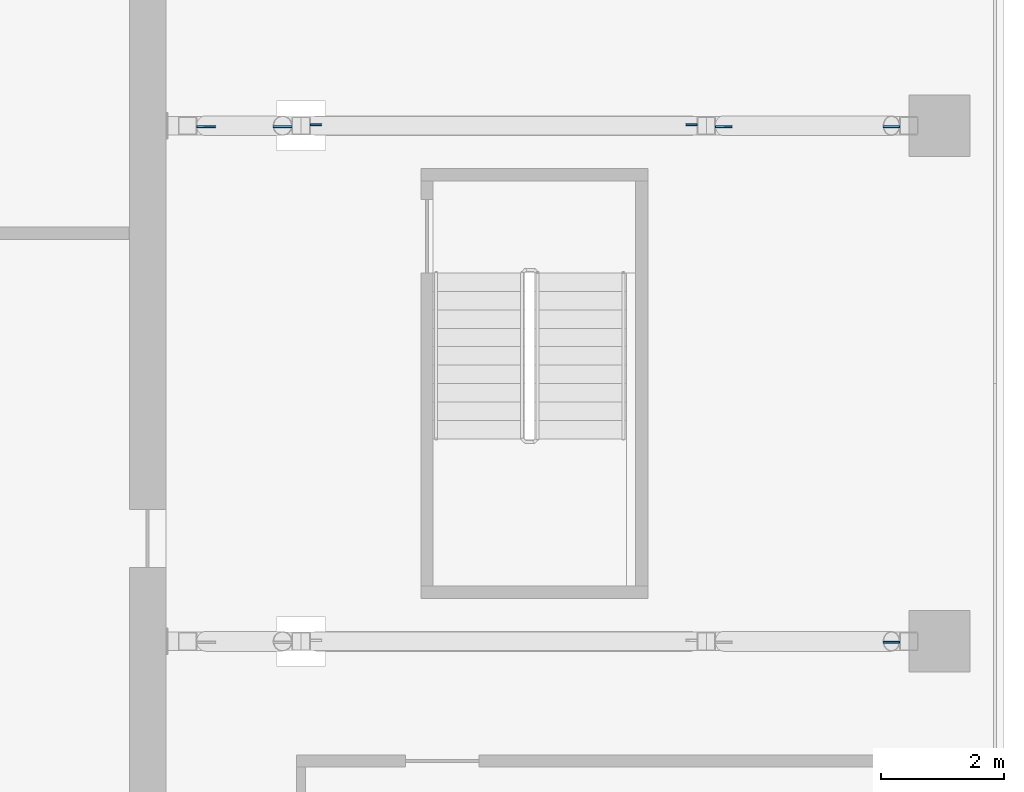
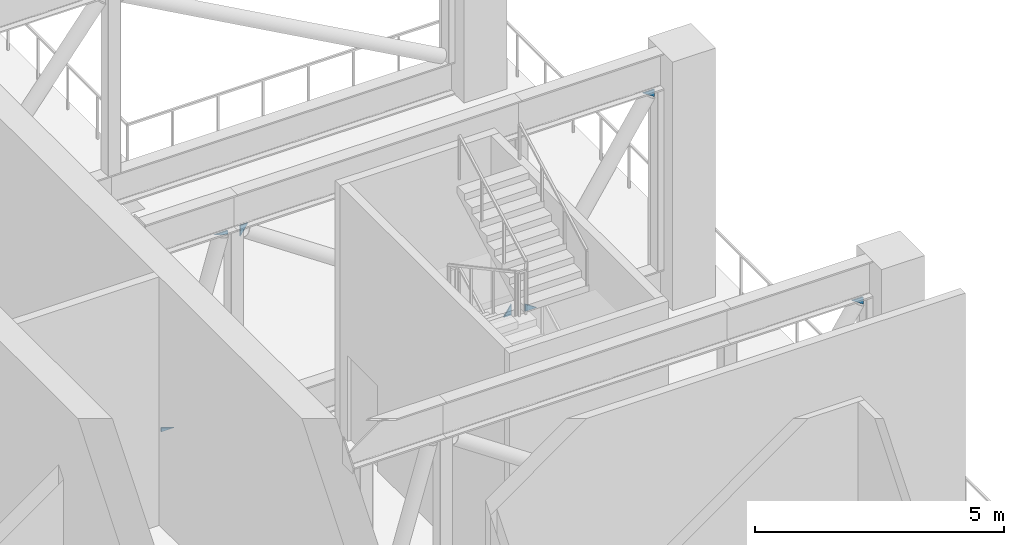
# One storey, part 14 of 24: 7 plates.
"""IFC4 building model written with IfcOpenShell, lengths in metres."""

import ifcopenshell
import ifcopenshell.guid

model = None  # the IFC model being written
_history = None  # IfcOwnerHistory: only IFC2X3 demands one
_inside = {}  # id of a spatial element -> (the spatial element, [elements in it])
_under = {}  # id of a project, library or spatial element -> (it, [spatial elements below it])
_declared = {}  # id of a project -> (the project, [libraries it declares])
_typed = {}  # id of a type object -> (the type object, [elements of that type])
_made_of = {}  # id of a material, layer set ... -> (it, [elements and type objects made of it])


def new_model(schema):
    """Start an empty IFC model of exactly this schema.

    Asked for "IFC4X3", IfcOpenShell would pick the latest addendum, in which some entities
    have other attributes; the version numbers below select the first issue.
    IFC2X3 requires an IfcOwnerHistory on every rooted entity: one is made here for all.
    """
    global model, _history
    if schema == "IFC4X3":
        model = ifcopenshell.file(schema_version=(4, 3, 0, 0))
    else:
        model = ifcopenshell.file(schema=schema)
    _inside.clear()
    _under.clear()
    _declared.clear()
    _typed.clear()
    _made_of.clear()
    _history = None
    if model.schema == "IFC2X3":
        org = make("IfcOrganization", Name="unknown")
        user = make(
            "IfcPersonAndOrganization",
            ThePerson=make("IfcPerson", FamilyName="unknown"),
            TheOrganization=org,
        )
        app = make(
            "IfcApplication",
            ApplicationDeveloper=org,
            Version="unknown",
            ApplicationFullName="unknown",
            ApplicationIdentifier="unknown",
        )
        _history = make(
            "IfcOwnerHistory",
            OwningUser=user,
            OwningApplication=app,
            ChangeAction="ADDED",
            CreationDate=0,
        )
    return model


def make(cls, **values):
    """One entity of the class cls with the attributes given. An attribute that is None is left unset."""
    return model.create_entity(
        cls, **{name: value for name, value in values.items() if value is not None}
    )


def rooted(cls, **values):
    """An entity with a GlobalId (a new one), such as an element, a storey or a relation."""
    return make(cls, GlobalId=ifcopenshell.guid.new(), OwnerHistory=_history, **values)


def si_unit(unit_type, name, prefix=None):
    """IfcSIUnit, for example si_unit("LENGTHUNIT", "METRE", prefix="MILLI")."""
    return make("IfcSIUnit", UnitType=unit_type, Prefix=prefix, Name=name)


def assignment(units):
    """IfcUnitAssignment: the units of a project."""
    return None if units is None else make("IfcUnitAssignment", Units=units)


def point(xyz):
    """IfcCartesianPoint."""
    return None if xyz is None else make("IfcCartesianPoint", Coordinates=xyz)


def direction(xyz):
    """IfcDirection."""
    return None if xyz is None else make("IfcDirection", DirectionRatios=xyz)


def frame(location, z_axis=None, x_axis=None):
    """IfcAxis2Placement3D, a coordinate frame: its origin and axes. An axis left out is left unset."""
    return make(
        "IfcAxis2Placement3D",
        Location=point(location),
        Axis=direction(z_axis),
        RefDirection=direction(x_axis),
    )


def origin():
    """The frame at (0, 0, 0) with its axes left unset."""
    return frame((0.0, 0.0, 0.0))


def place(relative_to, where):
    """IfcLocalPlacement: puts the frame where relative to a parent placement (None: the world)."""
    return make(
        "IfcLocalPlacement", PlacementRelTo=relative_to, RelativePlacement=where
    )


def context(
    kind, dimensions, precision=None, world=None, true_north=None, identifier=None
):
    """IfcGeometricRepresentationContext, for example the 3D "Model" context."""
    return make(
        "IfcGeometricRepresentationContext",
        ContextIdentifier=identifier,
        ContextType=kind,
        CoordinateSpaceDimension=dimensions,
        Precision=precision,
        WorldCoordinateSystem=world,
        TrueNorth=true_north,
    )


def subcontext(parent, identifier, kind, view, scale=None):
    """IfcGeometricRepresentationSubContext, for example "Body" below "Model"."""
    return make(
        "IfcGeometricRepresentationSubContext",
        ContextIdentifier=identifier,
        ContextType=kind,
        ParentContext=parent,
        TargetScale=scale,
        TargetView=view,
    )


def project(units=None, contexts=None):
    """IfcProject with its units and contexts."""
    return rooted(
        "IfcProject",
        Name="project",
        RepresentationContexts=contexts,
        UnitsInContext=assignment(units),
    )


def spatial(cls, under=None, at=None, **own):
    """A site, building, storey or space (cls), placed at a placement, below another one or the project."""
    s = rooted(cls, ObjectPlacement=at, **own)
    if under is not None:
        _under.setdefault(under.id(), (under, []))[1].append(s)
    return s


def polyline(points):
    """IfcPolyline through the points."""
    return make("IfcPolyline", Points=[point(p) for p in points])


def outline(outer, holes=None, kind="AREA"):
    """IfcArbitraryClosedProfileDef: a profile drawn as a closed curve; with holes, ...WithVoids."""
    if holes is None:
        return make("IfcArbitraryClosedProfileDef", ProfileType=kind, OuterCurve=outer)
    return make(
        "IfcArbitraryProfileDefWithVoids",
        ProfileType=kind,
        OuterCurve=outer,
        InnerCurves=holes,
    )


def extrude(swept, where, along, depth):
    """IfcExtrudedAreaSolid: the profile swept, set in the frame where, extruded along a direction by depth."""
    return make(
        "IfcExtrudedAreaSolid",
        SweptArea=swept,
        Position=where,
        ExtrudedDirection=direction(along),
        Depth=depth,
    )


def shape(context_of_items, identifier, shape_type, items):
    """IfcShapeRepresentation: the items that make up one representation, for example the "Body"."""
    return make(
        "IfcShapeRepresentation",
        ContextOfItems=context_of_items,
        RepresentationIdentifier=identifier,
        RepresentationType=shape_type,
        Items=items,
    )


def material(Name=None, Category=None):
    """IfcMaterial."""
    return make("IfcMaterial", Name=Name, Category=Category)


def layer(
    of_material, thickness, ventilated=None, Name=None, Category=None, Priority=None
):
    """IfcMaterialLayer: one layer of a wall or slab, of a material (None: an air gap)."""
    return make(
        "IfcMaterialLayer",
        Material=of_material,
        LayerThickness=thickness,
        IsVentilated=ventilated,
        Name=Name,
        Category=Category,
        Priority=Priority,
    )


def layer_set(layers, Name=None):
    """IfcMaterialLayerSet."""
    return make("IfcMaterialLayerSet", MaterialLayers=layers, LayerSetName=Name)


def made_of(thing, what):
    """Note that an element or type object is made of a material, layer set ...; save() writes the relation."""
    if what is not None:
        _made_of.setdefault(what.id(), (what, []))[1].append(thing)
    return thing


def type_object(cls, material=None, **own):
    """A type object (cls), such as IfcWallType, which elements share."""
    return made_of(rooted(cls, **own), material)


def element(
    cls,
    number,
    at=None,
    inside=None,
    cuts=None,
    type_object=None,
    material=None,
    context=None,
    identifier="Body",
    shape_type=None,
    held_by="IfcProductDefinitionShape",
    body=None,
    shapes=None,
    **own,
):
    """One element of the class cls, such as IfcWall. Its Tag is "e" and its number.

    at: its placement. inside: the storey or other place that contains it. cuts: it is an
    opening in that element (IfcRelVoidsElement). A single representation is given by context,
    identifier, shape_type and body (its items); several are given by shapes. held_by: the class
    of the entity that holds the representations. save() writes the other relations.
    """
    e = rooted(cls, Tag="e%d" % number, ObjectPlacement=at, **own)
    if body is not None:
        shapes = [shape(context, identifier, shape_type, body)]
    if shapes is not None:
        e.Representation = make(held_by, Representations=shapes)
    if inside is not None:
        _inside.setdefault(inside.id(), (inside, []))[1].append(e)
    if cuts is not None:
        rooted(
            "IfcRelVoidsElement", RelatingBuildingElement=cuts, RelatedOpeningElement=e
        )
    if type_object is not None:
        _typed.setdefault(type_object.id(), (type_object, []))[1].append(e)
    return made_of(e, material)


def aggregate(whole, parts):
    """IfcRelAggregates: a whole, such as a stair, and the parts it consists of."""
    return rooted("IfcRelAggregates", RelatingObject=whole, RelatedObjects=parts)


def save(model, path):
    """Write the relations noted so far, then the file.

    IfcRelAggregates (storeys below a building ...), IfcRelContainedInSpatialStructure (elements
    in a storey), IfcRelDefinesByType, IfcRelAssociatesMaterial and IfcRelDeclares: one each for
    every whole, place, type object, material and project.
    """
    for whole, parts in _under.values():
        aggregate(whole, parts)
    for where, things in _inside.values():
        rooted(
            "IfcRelContainedInSpatialStructure",
            RelatedElements=things,
            RelatingStructure=where,
        )
    for kind, things in _typed.values():
        rooted("IfcRelDefinesByType", RelatedObjects=things, RelatingType=kind)
    for what, things in _made_of.values():
        rooted("IfcRelAssociatesMaterial", RelatedObjects=things, RelatingMaterial=what)
    for by, libraries in _declared.values():
        rooted("IfcRelDeclares", RelatingContext=by, RelatedDefinitions=libraries)
    model.write(path)


model = new_model("IFC4")

# Units and contexts
model_context = context("Model", 3, precision=1e-05, world=origin(), true_north=direction((0.0, 1.0)))
body_context = subcontext(model_context, "Body", "Model", "MODEL_VIEW")
ifc_project = project(units=[si_unit("LENGTHUNIT", "METRE"), si_unit("AREAUNIT", "SQUARE_METRE"), si_unit("VOLUMEUNIT", "CUBIC_METRE"), si_unit("PLANEANGLEUNIT", "RADIAN"), si_unit("MASSUNIT", "GRAM", prefix="KILO")], contexts=[model_context])

# Site, building, storey
site_placement = place(None, origin())
site = spatial("IfcSite", under=ifc_project, at=site_placement, CompositionType="ELEMENT")
building_placement = place(site_placement, origin())
building = spatial("IfcBuilding", under=site, at=building_placement, Name="Vermilion Ogive Tower", CompositionType="ELEMENT")
storey_placement = place(building_placement, frame((0.0, 0.0, 216.949951171875)))
storey = spatial("IfcBuildingStorey", under=building, at=storey_placement, Name="L57", CompositionType="ELEMENT", Elevation=216.949951171875)

# Plates
ifc_material = material(Name="Steel S355", Category="steel")
ifc_layer = layer(ifc_material, 0.030029296875)
ifc_layer_set = layer_set([ifc_layer], Name="Truss gusset plate 30")
plate_type = type_object("IfcPlateType", Name="Truss gusset plate 30", PredefinedType="USERDEFINED", material=ifc_layer_set)
plate_1_placement = place(storey_placement, frame((24.550048828125, -4.199951171875, 5.021240234375), z_axis=(0.0, 1.0, 0.0), x_axis=(-0.833210628215, 0.0, 0.552955738761)))
element("IfcPlate", 1, at=plate_1_placement, inside=storey, type_object=plate_type, Name="Gusset plate L57-TR-EWE-4.2-D2B", ObjectType="GUSSET PLATE", PredefinedType="USERDEFINED", context=body_context, shape_type="SweptSolid", body=[
    extrude(outline(polyline([(0.0, 0.0), (0.3231921200426646, 0.0), (0.09881923847002465, 0.1489038525033295), (0.0, 0.0)])), origin(), (0.0, 0.0, -1.0), 0.030029296875),
])
for number, where, z_axis, x_axis, name in (
    (2, (13.10009765625, 4.199951171875, 0.8984375), (0.0, 1.0, 0.0), (0.952468022783, 0.0, -0.30463858189), "Gusset plate L57-TR-EWE+4.2-D0A"),
    (3, (14.64990234375, 4.199951171875, 5.1015625), (0.0, 1.0, 0.0), (-0.952468022783, 0.0, 0.30463858189), "Gusset plate L57-TR-EWE+4.2-D0B"),
):
    element("IfcPlate", number, at=place(storey_placement, frame(where, z_axis=z_axis, x_axis=x_axis)), inside=storey, type_object=plate_type, Name=name, ObjectType="GUSSET PLATE", PredefinedType="USERDEFINED", context=body_context, shape_type="SweptSolid", body=[
        extrude(outline(polyline([(0.0, 0.0), (0.32296851982621555, -1.3877787807814457e-17), (0.02997298547404947, 0.09371206376501819), (0.0, 0.0)])), origin(), (0.0, 0.0, -1.0), 0.030029296875),
    ])
plate_2_placement = place(storey_placement, frame((14.949951171875, 4.199951171875, 4.93359375), z_axis=(0.0, -1.0, 0.0), x_axis=(0.566496766054, 0.0, 0.824063962354)))
element("IfcPlate", 4, at=plate_2_placement, inside=storey, type_object=plate_type, Name="Gusset plate L57-TR-EWE+4.2-D1A", ObjectType="GUSSET PLATE", PredefinedType="USERDEFINED", context=body_context, shape_type="SweptSolid", body=[
    extrude(outline(polyline([(0.0, 0.0), (0.32322420836635046, 0.0), (0.2194955524726181, 0.1508906181067494), (0.0, 0.0)])), origin(), (0.0, 0.0, -1.0), 0.030029296875),
])
plate_3_placement = place(storey_placement, frame((21.25, 4.199951171875, 1.06640625), z_axis=(0.0, -1.0, 0.0), x_axis=(-0.565983506848, 0.0, -0.82441656338)))
element("IfcPlate", 5, at=plate_3_placement, inside=storey, type_object=plate_type, Name="Gusset plate L57-TR-EWE+4.2-D1B", ObjectType="GUSSET PLATE", PredefinedType="USERDEFINED", context=body_context, shape_type="SweptSolid", body=[
    extrude(outline(polyline([(0.0, 0.0), (0.3230859661321359, 0.0), (0.21958947037297524, 0.15075390770793626), (0.0, 0.0)])), origin(), (0.0, 0.0, -1.0), 0.030029296875),
])
for number, where, z_axis, x_axis, name in (
    (6, (21.550048828125, 4.199951171875, 0.978759765625), (0.0, 1.0, 0.0), (0.833210628215, 0.0, -0.552955738761), "Gusset plate L57-TR-EWE+4.2-D2A"),
    (7, (24.550048828125, 4.199951171875, 5.021240234375), (0.0, 1.0, 0.0), (-0.833210628215, 0.0, 0.552955738761), "Gusset plate L57-TR-EWE+4.2-D2B"),
):
    element("IfcPlate", number, at=place(storey_placement, frame(where, z_axis=z_axis, x_axis=x_axis)), inside=storey, type_object=plate_type, Name=name, ObjectType="GUSSET PLATE", PredefinedType="USERDEFINED", context=body_context, shape_type="SweptSolid", body=[
        extrude(outline(polyline([(0.0, 0.0), (0.3231921200426646, 0.0), (0.09881923847002465, 0.1489038525033295), (0.0, 0.0)])), origin(), (0.0, 0.0, -1.0), 0.030029296875),
    ])

save(model, "model.ifc")
